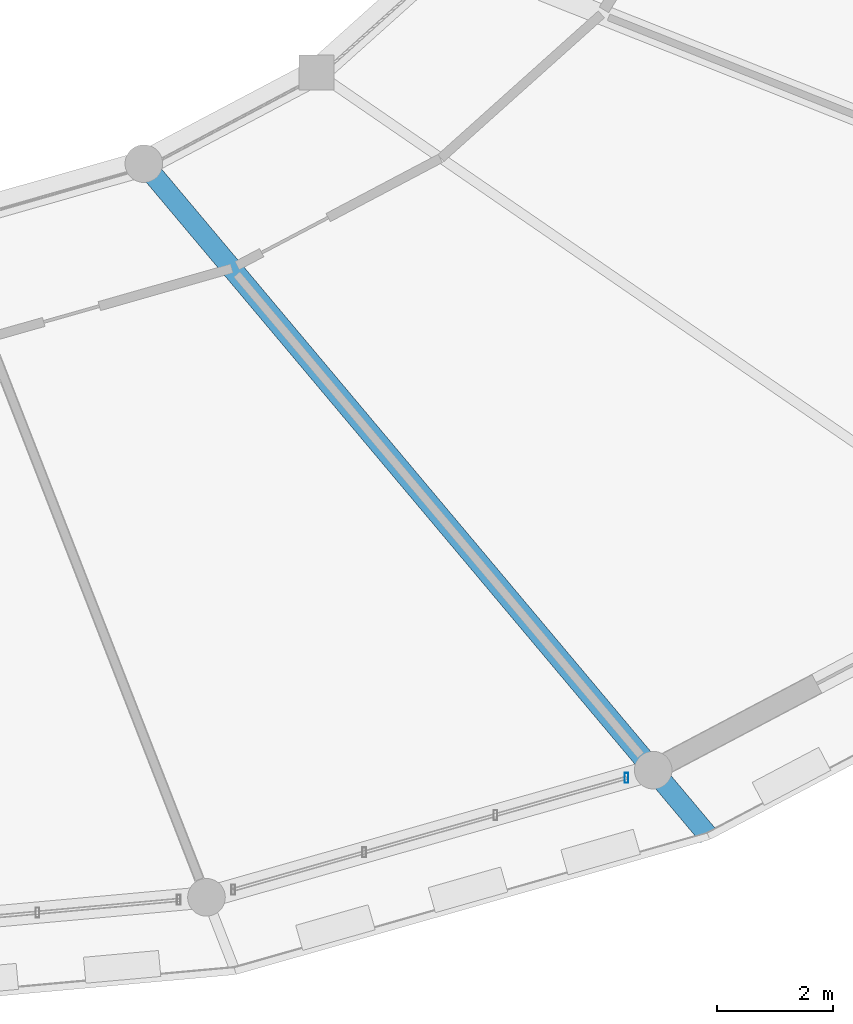
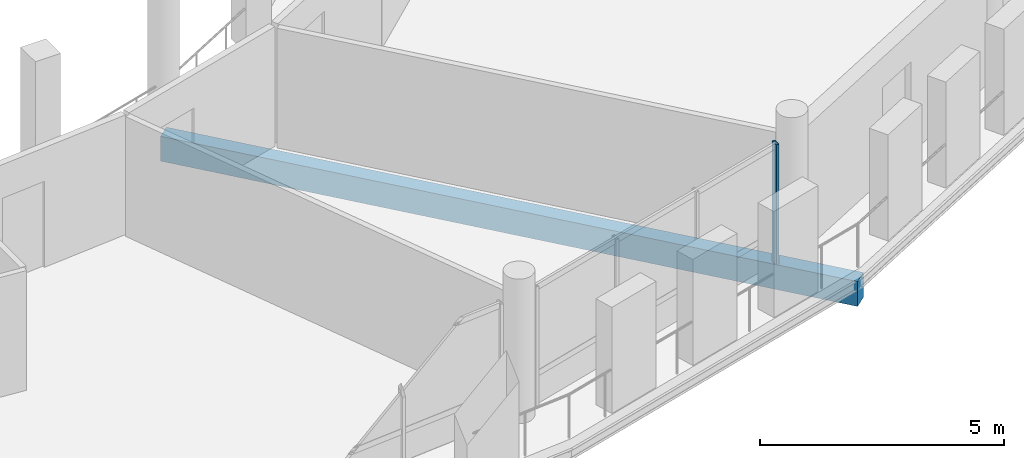
# One storey, part 29 of 93: 1 beam, 1 member, 1 element without a shape of its own.
"""IFC4 building model written with IfcOpenShell, lengths in metres."""

from ifc_helpers import new_model, si_unit, direction, frame, origin, origin_2d, place, context, subcontext, project, spatial, rectangle, hollow_rectangle, extrude, material, material_profile, profile_set, type_object, element, aggregate, save


model = new_model("IFC4")

# Units and contexts
model_context = context("Model", 3, precision=1e-05, world=origin(), true_north=direction((0.0, 1.0)))
body_context = subcontext(model_context, "Body", "Model", "MODEL_VIEW")
ifc_project = project(units=[si_unit("LENGTHUNIT", "METRE"), si_unit("AREAUNIT", "SQUARE_METRE"), si_unit("VOLUMEUNIT", "CUBIC_METRE"), si_unit("PLANEANGLEUNIT", "RADIAN"), si_unit("MASSUNIT", "GRAM", prefix="KILO")], contexts=[model_context])

# Site, building, storey
site_placement = place(None, origin())
site = spatial("IfcSite", under=ifc_project, at=site_placement, CompositionType="ELEMENT")
building_placement = place(site_placement, origin())
building = spatial("IfcBuilding", under=site, at=building_placement, Name="Zornivar Specialist Clinic", CompositionType="ELEMENT")
storey_placement = place(building_placement, frame((0.0, 0.0, 8.39990234375)))
storey = spatial("IfcBuildingStorey", under=building, at=storey_placement, Name="L02", CompositionType="ELEMENT", Elevation=8.39990234375)

# Beam
ifc_material_1 = material(Name="Concrete C30/37", Category="concrete")
ifc_material_profile_1 = material_profile(ifc_material_1, rectangle(XDim=0.35009765625, YDim=0.6201171875, at=origin_2d()), Name="RC 350x620")
ifc_profile_set_1 = profile_set([ifc_material_profile_1], Name="Concrete C30/37")
beam_type = type_object("IfcBeamType", Name="BM-RC-CANT-350x620", PredefinedType="BEAM", material=ifc_profile_set_1)
beam_placement = place(storey_placement, frame((100.800048828125, 49.02587890625, -0.5498046875), z_axis=(0.643102291661, -0.765780283411, 0.0), x_axis=(0.765780283411, 0.643102291661, 0.0)))
element("IfcBeam", 1, at=beam_placement, inside=storey, type_object=beam_type, Name="bm:V1:L02:radcant:20", PredefinedType="BEAM", context=body_context, shape_type="SweptSolid", body=[
    extrude(rectangle(XDim=0.35009765625, YDim=0.6201171875, at=origin_2d()), origin(), (0.0, 0.0, 1.0), 15.176513671875),
])

# Curtain wall, member
ifc_material_2 = material(Name="Aluminium and Low-E Glass Curtain Wall", Category="aluminium")
curtain_wall_type = type_object("IfcCurtainWallType", Name="CW-DRUM-FACET", PredefinedType="NOTDEFINED", material=ifc_material_2)
curtain_wall_placement = place(storey_placement, origin())
curtain_wall = element("IfcCurtainWall", 2, at=curtain_wall_placement, inside=storey, type_object=curtain_wall_type, Name="cw:V1:L02:c19", PredefinedType="NOTDEFINED")
ifc_material_3 = material(Name="Aluminium AW-6060", Category="aluminium")
ifc_material_profile_2 = material_profile(ifc_material_3, hollow_rectangle(XDim=0.06494140625, YDim=0.175048828125, WallThickness=0.00439453125, at=origin_2d()), Name="ALU 65x175x4.5")
ifc_profile_set_2 = profile_set([ifc_material_profile_2], Name="Aluminium AW-6060")
member_type = type_object("IfcMemberType", Name="CWM-MUL-175", PredefinedType="MULLION", material=ifc_profile_set_2)
member_placement = place(storey_placement, frame((109.138916015625, 38.4150390625, 0.0), z_axis=(0.0, 0.0, 1.0), x_axis=(1.0, 0.0, 0.0)))
member = element("IfcMember", 3, at=member_placement, type_object=member_type, Name="cw:V1:L02:c19:mul:3", PredefinedType="MULLION", context=body_context, shape_type="SweptSolid", body=[
    extrude(hollow_rectangle(XDim=0.06494140625, YDim=0.175048828125, WallThickness=0.00439453125, at=origin_2d()), origin(), (0.0, 0.0, 1.0), 3.010009765625),
])
aggregate(curtain_wall, [member])

save(model, "model.ifc")
